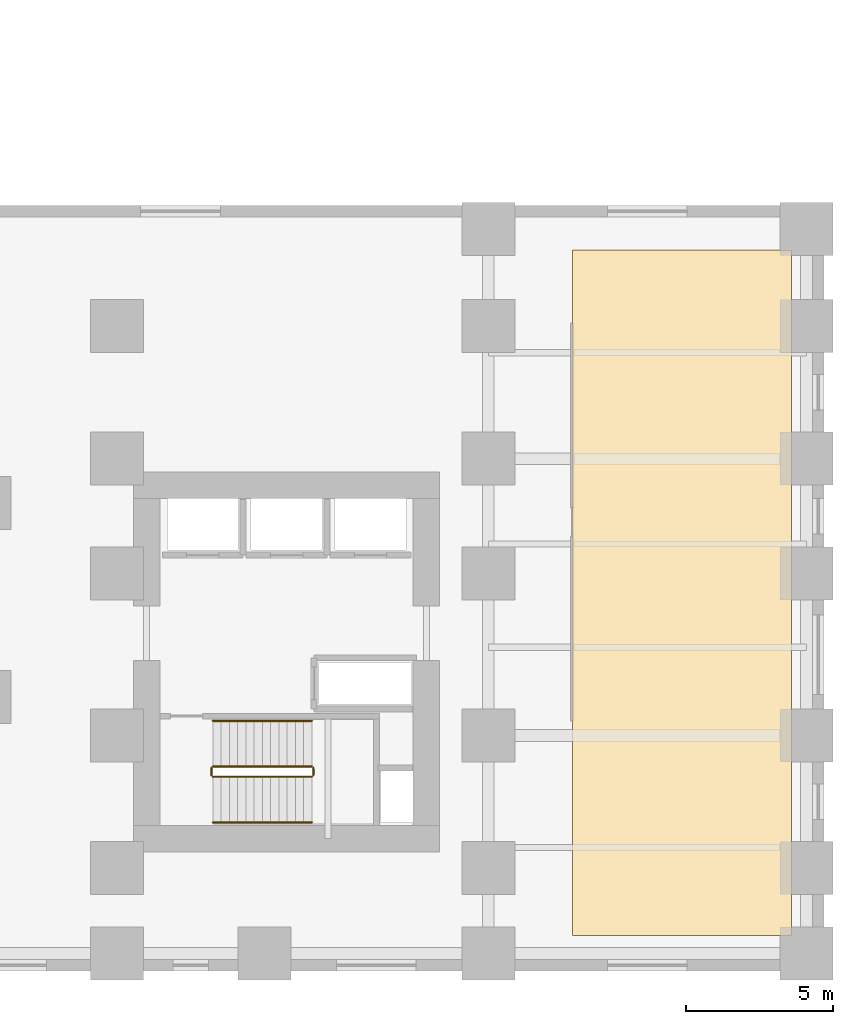
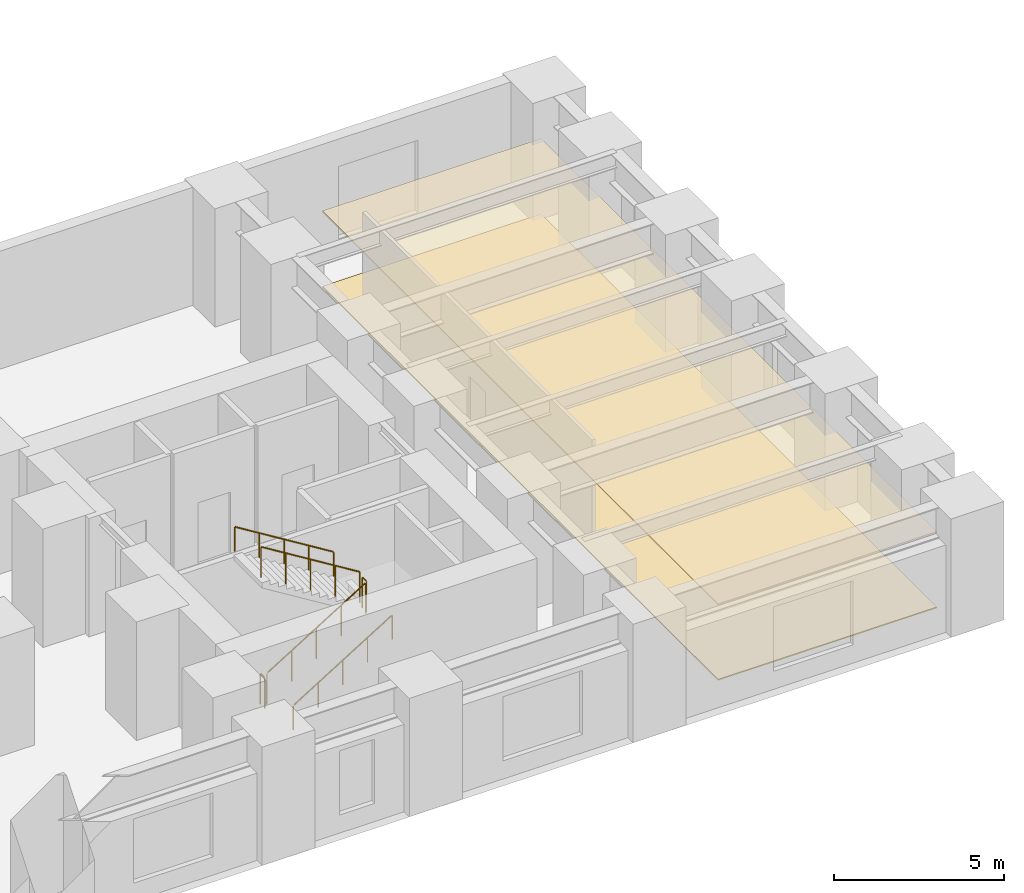
# One storey, part 12 of 13: 6 railings, 2 coverings.
"""IFC4 building model written with IfcOpenShell, lengths in metres."""

from ifc_helpers import new_model, si_unit, direction, frame, origin, origin_2d, place, context, subcontext, project, spatial, polyline, circle, outline, extrude, source, transform, mapped, material, layer, layer_set, type_object, element, save


model = new_model("IFC4")

# Units and contexts
model_context = context("Model", 3, precision=1e-05, world=origin(), true_north=direction((0.0, 1.0)))
body_context = subcontext(model_context, "Body", "Model", "MODEL_VIEW")
ifc_project = project(units=[si_unit("LENGTHUNIT", "METRE"), si_unit("AREAUNIT", "SQUARE_METRE"), si_unit("VOLUMEUNIT", "CUBIC_METRE"), si_unit("PLANEANGLEUNIT", "RADIAN"), si_unit("MASSUNIT", "GRAM", prefix="KILO")], contexts=[model_context])

# Site, building, storey
site_placement = place(None, origin())
site = spatial("IfcSite", under=ifc_project, at=site_placement, CompositionType="ELEMENT")
building_placement = place(site_placement, origin())
building = spatial("IfcBuilding", under=site, at=building_placement, Name="Kharzan Plaza Tower", CompositionType="ELEMENT")
storey_placement = place(building_placement, frame((0.0, 0.0, 4.5)))
storey = spatial("IfcBuildingStorey", under=building, at=storey_placement, Name="L01", CompositionType="ELEMENT", Elevation=4.5)

# Coverings
ifc_material_1 = material(Name="Perforated Acoustic Mineral-Fibre Tile", Category="gypsum")
ifc_layer_1 = layer(ifc_material_1, 0.044921875)
ifc_layer_set_1 = layer_set([ifc_layer_1], Name="Perforated Acoustic Mineral-Fibre Tile")
covering_type_1 = type_object("IfcCoveringType", Name="COV-CEIL-ACT", PredefinedType="CEILING", material=ifc_layer_set_1)
covering_1_placement = place(storey_placement, frame((0.0, 0.0, 2.705078125)))
element("IfcCovering", 1, at=covering_1_placement, inside=storey, type_object=covering_type_1, Name="L01 Suspended Acoustic Ceiling SEM1", PredefinedType="CEILING", context=body_context, shape_type="SweptSolid", body=[
    extrude(outline(polyline([(50.4599609375, 1.2099609375), (57.889892578125, 1.2099609375), (57.889892578125, 24.489990234375), (50.4599609375, 24.489990234375), (50.4599609375, 1.2099609375)])), origin(), (0.0, 0.0, 1.0), 0.044921875),
])
ifc_material_2 = material(Name="Honed Najran Granite Terrazzo", Category="masonry")
ifc_layer_2 = layer(ifc_material_2, 0.0400390625)
ifc_layer_set_2 = layer_set([ifc_layer_2], Name="Honed Najran Granite Terrazzo")
covering_type_2 = type_object("IfcCoveringType", Name="COV-FLOOR-STN", PredefinedType="FLOORING", material=ifc_layer_set_2)
covering_2_placement = place(storey_placement, origin())
element("IfcCovering", 2, at=covering_2_placement, inside=storey, type_object=covering_type_2, Name="L01 Honed Granite Terrazzo Flooring SEM1", PredefinedType="FLOORING", context=body_context, shape_type="SweptSolid", body=[
    extrude(outline(polyline([(50.4599609375, 1.2099609375), (57.889892578125, 1.2099609375), (57.889892578125, 24.489990234375), (50.4599609375, 24.489990234375), (50.4599609375, 1.2099609375)])), origin(), (0.0, 0.0, 1.0), 0.0400390625),
])

# Railings
ifc_material_3 = material(Name="Painted Galvanized Architectural Steel", Category="steel")
ifc_layer_3 = layer(ifc_material_3, 0.074951171875)
ifc_layer_set_3 = layer_set([ifc_layer_3], Name="Painted Galvanized Architectural Steel")
railing_type_1 = type_object("IfcRailingType", Name="RL-GUARD-1120", PredefinedType="BALUSTRADE", material=ifc_layer_set_3)
shared_shape_1 = source(origin(), body_context, "Body", "SweptSolid", [
    extrude(circle(Radius=0.02392578125, at=origin_2d()), frame((0.0224609375, 0.0, 1.10986328125), z_axis=(0.850623216509, 0.0, 0.525775754039), x_axis=(0.0, 1.0, 0.0)), (0.0, 0.0, 1.0), 3.897216796875),
    extrude(circle(Radius=0.02099609375, at=origin_2d()), origin(), (0.0, 0.0, 1.0), 1.072021484375),
    extrude(circle(Radius=0.02099609375, at=origin_2d()), frame((0.840087890625, 0.0, 0.519287109375)), (0.0, 0.0, 1.0), 1.072021484375),
    extrude(circle(Radius=0.02099609375, at=origin_2d()), frame((1.68017578125, 0.0, 1.03857421875)), (0.0, 0.0, 1.0), 1.072021484375),
    extrude(circle(Radius=0.02099609375, at=origin_2d()), frame((2.52001953125, 0.0, 1.5576171875)), (0.0, 0.0, 1.0), 1.072021484375),
    extrude(circle(Radius=0.02099609375, at=origin_2d()), frame((3.360107421875, 0.0, 2.076904296875)), (0.0, 0.0, 1.0), 1.072021484375),
])
railing_1_placement = place(storey_placement, frame((38.25, 6.60009765625, 0.173095703125)))
element("IfcRailing", 3, at=railing_1_placement, inside=storey, type_object=railing_type_1, Name="L01 ST-3 stair guard 1", PredefinedType="BALUSTRADE", context=body_context, shape_type="MappedRepresentation", body=[
    mapped(shared_shape_1, transform((0.0, 0.0, 0.0), x_axis=(1.0, 0.0, 0.0), y_axis=(0.0, 1.0, 0.0), z_axis=(0.0, 0.0, 1.0))),
])
shared_shape_2 = source(origin(), body_context, "Body", "SweptSolid", [
    extrude(circle(Radius=0.02392578125, at=origin_2d()), frame((0.0, 0.0263671875, 1.09619140625), z_axis=(0.0, 1.0, 0.0), x_axis=(-1.0, 0.0, 0.0)), (0.0, 0.0, 1.0), 0.197021484375),
    extrude(circle(Radius=0.02099609375, at=origin_2d()), origin(), (0.0, 0.0, 1.0), 1.072021484375),
    extrude(circle(Radius=0.02099609375, at=origin_2d()), frame((0.0, 0.25, 0.0)), (0.0, 0.0, 1.0), 1.072021484375),
])
for number, where, name in (
    (4, (41.659912109375, 6.64990234375, 2.25), "L01 ST-3 stair guard 2"),
    (5, (38.199951171875, 6.64990234375, 0.0), "L01 ST-3 stair guard 4"),
):
    element("IfcRailing", number, at=place(storey_placement, frame(where)), inside=storey, type_object=railing_type_1, Name=name, PredefinedType="BALUSTRADE", context=body_context, shape_type="MappedRepresentation", body=[
        mapped(shared_shape_2, transform((0.0, 0.0, 0.0), x_axis=(1.0, 0.0, 0.0), y_axis=(0.0, 1.0, 0.0), z_axis=(0.0, 0.0, 1.0))),
    ])
shared_shape_3 = source(origin(), body_context, "Body", "SweptSolid", [
    extrude(circle(Radius=0.02392578125, at=origin_2d()), frame((-0.0224609375, 0.0, 1.10986328125), z_axis=(-0.850623216509, 0.0, 0.525775754039), x_axis=(0.0, -1.0, 0.0)), (0.0, 0.0, 1.0), 3.897216796875),
    extrude(circle(Radius=0.02099609375, at=origin_2d()), origin(), (0.0, 0.0, 1.0), 1.072021484375),
    extrude(circle(Radius=0.02099609375, at=origin_2d()), frame((-0.840087890625, 0.0, 0.519287109375)), (0.0, 0.0, 1.0), 1.072021484375),
    extrude(circle(Radius=0.02099609375, at=origin_2d()), frame((-1.68017578125, 0.0, 1.03857421875)), (0.0, 0.0, 1.0), 1.072021484375),
    extrude(circle(Radius=0.02099609375, at=origin_2d()), frame((-2.52001953125, 0.0, 1.5576171875)), (0.0, 0.0, 1.0), 1.072021484375),
    extrude(circle(Radius=0.02099609375, at=origin_2d()), frame((-3.360107421875, 0.0, 2.076904296875)), (0.0, 0.0, 1.0), 1.072021484375),
])
railing_2_placement = place(storey_placement, frame((41.610107421875, 6.949951171875, 2.423095703125)))
element("IfcRailing", 6, at=railing_2_placement, inside=storey, type_object=railing_type_1, Name="L01 ST-3 stair guard 3", PredefinedType="BALUSTRADE", context=body_context, shape_type="MappedRepresentation", body=[
    mapped(shared_shape_3, transform((0.0, 0.0, 0.0), x_axis=(1.0, 0.0, 0.0), y_axis=(0.0, 1.0, 0.0), z_axis=(0.0, 0.0, 1.0))),
])
ifc_material_4 = material(Name="Brushed Stainless Steel", Category="steel")
ifc_layer_4 = layer(ifc_material_4, 0.050048828125)
ifc_layer_set_4 = layer_set([ifc_layer_4], Name="Brushed Stainless Steel")
railing_type_2 = type_object("IfcRailingType", Name="RL-STAIR-HR920", PredefinedType="HANDRAIL", material=ifc_layer_set_4)
shared_shape_4 = source(origin(), body_context, "Body", "SweptSolid", [
    extrude(circle(Radius=0.02392578125, at=origin_2d()), frame((0.0224609375, 0.0, 0.8896484375), z_axis=(0.850623216509, 0.0, 0.525775754039), x_axis=(0.0, 1.0, 0.0)), (0.0, 0.0, 1.0), 3.897216796875),
    extrude(circle(Radius=0.02099609375, at=origin_2d()), origin(), (0.0, 0.0, 1.0), 0.851806640625),
    extrude(circle(Radius=0.02099609375, at=origin_2d()), frame((0.840087890625, 0.0, 0.519287109375)), (0.0, 0.0, 1.0), 0.851806640625),
    extrude(circle(Radius=0.02099609375, at=origin_2d()), frame((1.68017578125, 0.0, 1.03857421875)), (0.0, 0.0, 1.0), 0.851806640625),
    extrude(circle(Radius=0.02099609375, at=origin_2d()), frame((2.52001953125, 0.0, 1.5576171875)), (0.0, 0.0, 1.0), 0.851806640625),
    extrude(circle(Radius=0.02099609375, at=origin_2d()), frame((3.360107421875, 0.0, 2.076904296875)), (0.0, 0.0, 1.0), 0.851806640625),
])
railing_3_placement = place(storey_placement, frame((38.25, 5.050048828125, 0.173095703125)))
element("IfcRailing", 7, at=railing_3_placement, inside=storey, type_object=railing_type_2, Name="L01 ST-3 stair handrail 1", PredefinedType="HANDRAIL", context=body_context, shape_type="MappedRepresentation", body=[
    mapped(shared_shape_4, transform((0.0, 0.0, 0.0), x_axis=(1.0, 0.0, 0.0), y_axis=(0.0, 1.0, 0.0), z_axis=(0.0, 0.0, 1.0))),
])
shared_shape_5 = source(origin(), body_context, "Body", "SweptSolid", [
    extrude(circle(Radius=0.02392578125, at=origin_2d()), frame((-0.0224609375, 0.0, 0.8896484375), z_axis=(-0.850623216509, 0.0, 0.525775754039), x_axis=(0.0, -1.0, 0.0)), (0.0, 0.0, 1.0), 3.897216796875),
    extrude(circle(Radius=0.02099609375, at=origin_2d()), origin(), (0.0, 0.0, 1.0), 0.851806640625),
    extrude(circle(Radius=0.02099609375, at=origin_2d()), frame((-0.840087890625, 0.0, 0.519287109375)), (0.0, 0.0, 1.0), 0.851806640625),
    extrude(circle(Radius=0.02099609375, at=origin_2d()), frame((-1.68017578125, 0.0, 1.03857421875)), (0.0, 0.0, 1.0), 0.851806640625),
    extrude(circle(Radius=0.02099609375, at=origin_2d()), frame((-2.52001953125, 0.0, 1.5576171875)), (0.0, 0.0, 1.0), 0.851806640625),
    extrude(circle(Radius=0.02099609375, at=origin_2d()), frame((-3.360107421875, 0.0, 2.076904296875)), (0.0, 0.0, 1.0), 0.851806640625),
])
railing_4_placement = place(storey_placement, frame((41.610107421875, 8.5, 2.423095703125)))
element("IfcRailing", 8, at=railing_4_placement, inside=storey, type_object=railing_type_2, Name="L01 ST-3 stair handrail 2", PredefinedType="HANDRAIL", context=body_context, shape_type="MappedRepresentation", body=[
    mapped(shared_shape_5, transform((0.0, 0.0, 0.0), x_axis=(1.0, 0.0, 0.0), y_axis=(0.0, 1.0, 0.0), z_axis=(0.0, 0.0, 1.0))),
])

save(model, "model.ifc")
